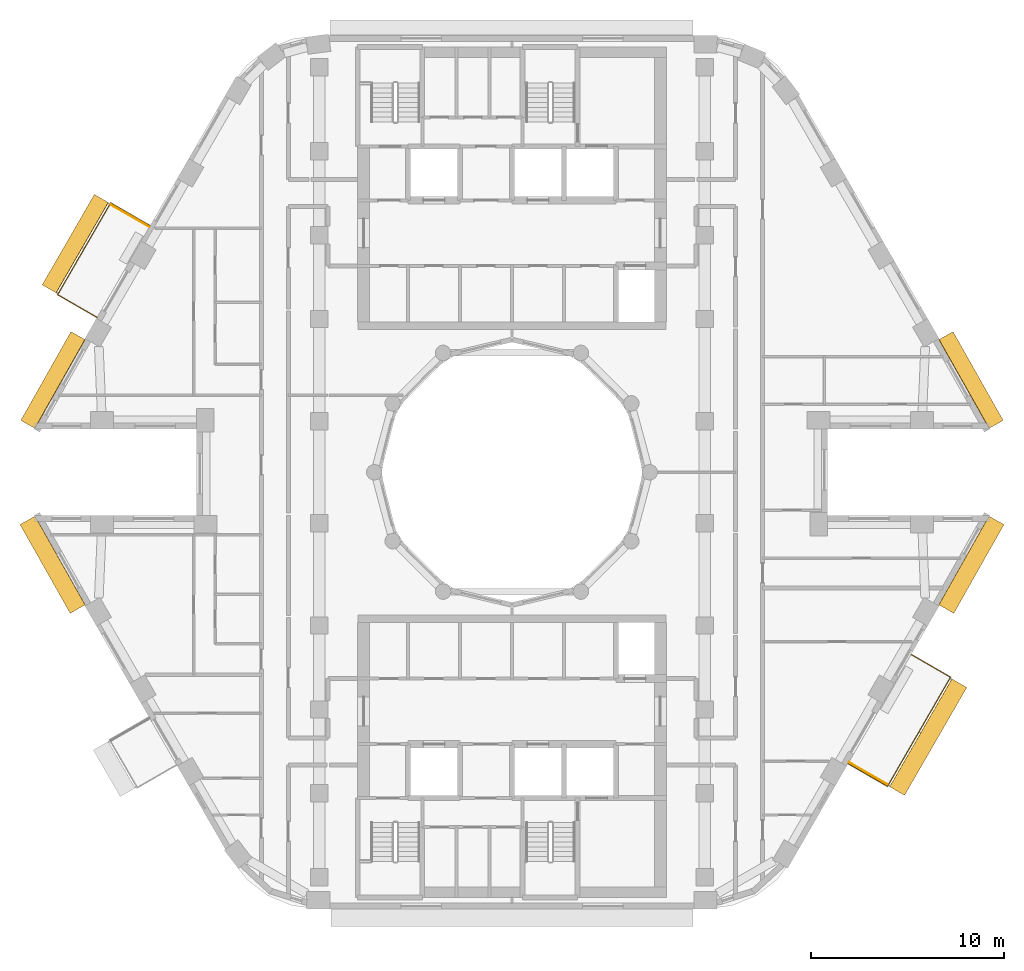
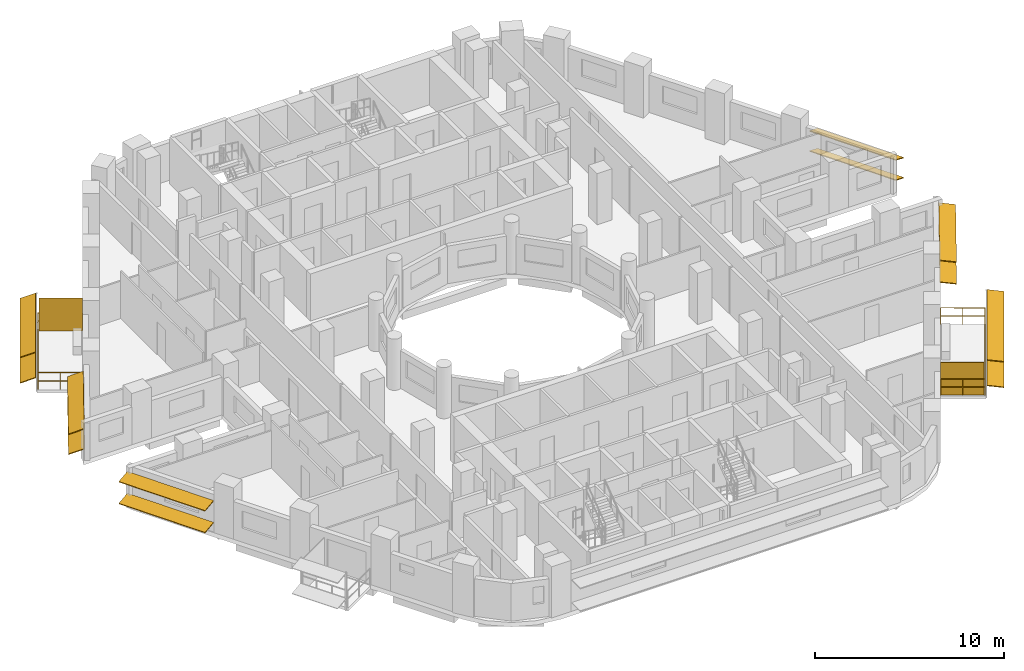
# One storey, part 16 of 17: 14 shading devices, 2 railings.
"""IFC4 building model written with IfcOpenShell, lengths in metres."""

from ifc_helpers import new_model, si_unit, direction, frame, origin, origin_2d, place, context, subcontext, project, spatial, rectangle, circle, extrude, material, layer, layer_set, material_profile, profile_set, type_object, element, save


model = new_model("IFC4")

# Units and contexts
model_context = context("Model", 3, precision=1e-05, world=origin(), true_north=direction((0.0, 1.0)))
body_context = subcontext(model_context, "Body", "Model", "MODEL_VIEW")
ifc_project = project(units=[si_unit("LENGTHUNIT", "METRE"), si_unit("AREAUNIT", "SQUARE_METRE"), si_unit("VOLUMEUNIT", "CUBIC_METRE"), si_unit("PLANEANGLEUNIT", "RADIAN"), si_unit("MASSUNIT", "GRAM", prefix="KILO")], contexts=[model_context])

# Site, building, storey
site_placement = place(None, origin())
site = spatial("IfcSite", under=ifc_project, at=site_placement, CompositionType="ELEMENT")
building_placement = place(site_placement, origin())
building = spatial("IfcBuilding", under=site, at=building_placement, Name="Nakaniwa Court", CompositionType="ELEMENT")
storey_placement = place(building_placement, frame((0.0, 0.0, 203.10009765625)))
storey = spatial("IfcBuildingStorey", under=building, at=storey_placement, Name="L53", CompositionType="ELEMENT", Elevation=203.10009765625)

# Railings
ifc_material_1 = material(Name="Black powder-coated steel flat bar balustrade S275", Category="steel")
railing_type = type_object("IfcRailingType", Name="Black metal balcony guard 1100", PredefinedType="GUARDRAIL", material=ifc_material_1)
railing_1_placement = place(storey_placement, frame((61.22900390625, 92.787841796875, -0.050048828125)))
element("IfcRailing", 1, at=railing_1_placement, inside=storey, type_object=railing_type, Name="L53 balcony guard 01", PredefinedType="GUARDRAIL", context=body_context, shape_type="SweptSolid", body=[
    extrude(circle(Radius=0.02392578125, at=origin_2d()), frame((0.0, 0.0, 1.076171875), z_axis=(-0.865980564943, 0.500077655111, 0.0), x_axis=(-0.500077655111, -0.865980564943, 0.0)), (0.0, 0.0, 1.0), 2.35986328125),
    extrude(circle(Radius=0.02392578125, at=origin_2d()), frame((0.0, 0.0, 0.550048828125), z_axis=(-0.865980564943, 0.500077655111, 0.0), x_axis=(-0.500077655111, -0.865980564943, 0.0)), (0.0, 0.0, 1.0), 2.35986328125),
    extrude(circle(Radius=0.02392578125, at=origin_2d()), frame((-2.043701171875, 1.18017578125, 1.076171875), z_axis=(-0.500004459798, -0.866022828903, 0.0), x_axis=(0.866022828903, -0.500004459798, 0.0)), (0.0, 0.0, 1.0), 5.49560546875),
    extrude(circle(Radius=0.02392578125, at=origin_2d()), frame((-2.043701171875, 1.18017578125, 0.550048828125), z_axis=(-0.500004459798, -0.866022828903, 0.0), x_axis=(0.866022828903, -0.500004459798, 0.0)), (0.0, 0.0, 1.0), 5.49560546875),
    extrude(circle(Radius=0.02392578125, at=origin_2d()), frame((-4.79150390625, -3.5791015625, 1.076171875), z_axis=(0.866051224006, -0.499955275397, 0.0), x_axis=(0.499955275397, 0.866051224006, 0.0)), (0.0, 0.0, 1.0), 2.360107421875),
    extrude(circle(Radius=0.02392578125, at=origin_2d()), frame((-4.79150390625, -3.5791015625, 0.550048828125), z_axis=(0.866051224006, -0.499955275397, 0.0), x_axis=(0.499955275397, 0.866051224006, 0.0)), (0.0, 0.0, 1.0), 2.360107421875),
    extrude(circle(Radius=0.02099609375, at=origin_2d()), origin(), (0.0, 0.0, 1.0), 1.052001953125),
    extrude(circle(Radius=0.02099609375, at=origin_2d()), frame((-1.02197265625, 0.590087890625, 0.0)), (0.0, 0.0, 1.0), 1.052001953125),
    extrude(circle(Radius=0.02099609375, at=origin_2d()), frame((-2.043701171875, 1.18017578125, 0.0)), (0.0, 0.0, 1.0), 1.052001953125),
    extrude(circle(Radius=0.02099609375, at=origin_2d()), frame((-2.59326171875, 0.228271484375, 0.0)), (0.0, 0.0, 1.0), 1.052001953125),
    extrude(circle(Radius=0.02099609375, at=origin_2d()), frame((-3.142822265625, -0.7236328125, 0.0)), (0.0, 0.0, 1.0), 1.052001953125),
    extrude(circle(Radius=0.02099609375, at=origin_2d()), frame((-3.6923828125, -1.67529296875, 0.0)), (0.0, 0.0, 1.0), 1.052001953125),
    extrude(circle(Radius=0.02099609375, at=origin_2d()), frame((-4.241943359375, -2.627197265625, 0.0)), (0.0, 0.0, 1.0), 1.052001953125),
    extrude(circle(Radius=0.02099609375, at=origin_2d()), frame((-4.79150390625, -3.5791015625, 0.0)), (0.0, 0.0, 1.0), 1.052001953125),
    extrude(circle(Radius=0.02099609375, at=origin_2d()), frame((-3.76953125, -4.1689453125, 0.0)), (0.0, 0.0, 1.0), 1.052001953125),
    extrude(circle(Radius=0.02099609375, at=origin_2d()), frame((-2.74755859375, -4.759033203125, 0.0)), (0.0, 0.0, 1.0), 1.052001953125),
])
railing_2_placement = place(storey_placement, frame((97.429443359375, 64.888427734375, -0.050048828125)))
element("IfcRailing", 2, at=railing_2_placement, inside=storey, type_object=railing_type, Name="L53 balcony guard 03", PredefinedType="GUARDRAIL", context=body_context, shape_type="SweptSolid", body=[
    extrude(circle(Radius=0.02392578125, at=origin_2d()), frame((0.0, 0.0, 1.076171875), z_axis=(0.866025363618, -0.50000006957, 0.0), x_axis=(0.50000006957, 0.866025363618, 0.0)), (0.0, 0.0, 1.0), 2.35986328125),
    extrude(circle(Radius=0.02392578125, at=origin_2d()), frame((0.0, 0.0, 0.550048828125), z_axis=(0.866025363618, -0.50000006957, 0.0), x_axis=(0.50000006957, 0.866025363618, 0.0)), (0.0, 0.0, 1.0), 2.35986328125),
    extrude(circle(Radius=0.02392578125, at=origin_2d()), frame((2.043701171875, -1.179931640625, 1.076171875), z_axis=(0.500021928932, 0.866012742739, 0.0), x_axis=(-0.866012742739, 0.500021928932, 0.0)), (0.0, 0.0, 1.0), 6.539306640625),
    extrude(circle(Radius=0.02392578125, at=origin_2d()), frame((2.043701171875, -1.179931640625, 0.550048828125), z_axis=(0.500021928932, 0.866012742739, 0.0), x_axis=(-0.866012742739, 0.500021928932, 0.0)), (0.0, 0.0, 1.0), 6.539306640625),
    extrude(circle(Radius=0.02392578125, at=origin_2d()), frame((5.3134765625, 4.483154296875, 1.076171875), z_axis=(-0.865980564943, 0.500077655111, 0.0), x_axis=(-0.500077655111, -0.865980564943, 0.0)), (0.0, 0.0, 1.0), 2.35986328125),
    extrude(circle(Radius=0.02392578125, at=origin_2d()), frame((5.3134765625, 4.483154296875, 0.550048828125), z_axis=(-0.865980564943, 0.500077655111, 0.0), x_axis=(-0.500077655111, -0.865980564943, 0.0)), (0.0, 0.0, 1.0), 2.35986328125),
    extrude(circle(Radius=0.02099609375, at=origin_2d()), origin(), (0.0, 0.0, 1.0), 1.052001953125),
    extrude(circle(Radius=0.02099609375, at=origin_2d()), frame((1.02197265625, -0.58984375, 0.0)), (0.0, 0.0, 1.0), 1.052001953125),
    extrude(circle(Radius=0.02099609375, at=origin_2d()), frame((2.043701171875, -1.179931640625, 0.0)), (0.0, 0.0, 1.0), 1.052001953125),
    extrude(circle(Radius=0.02099609375, at=origin_2d()), frame((2.588623046875, -0.236083984375, 0.0)), (0.0, 0.0, 1.0), 1.052001953125),
    extrude(circle(Radius=0.02099609375, at=origin_2d()), frame((3.133544921875, 0.707763671875, 0.0)), (0.0, 0.0, 1.0), 1.052001953125),
    extrude(circle(Radius=0.02099609375, at=origin_2d()), frame((3.6787109375, 1.651611328125, 0.0)), (0.0, 0.0, 1.0), 1.052001953125),
    extrude(circle(Radius=0.02099609375, at=origin_2d()), frame((4.2236328125, 2.595458984375, 0.0)), (0.0, 0.0, 1.0), 1.052001953125),
    extrude(circle(Radius=0.02099609375, at=origin_2d()), frame((4.7685546875, 3.539306640625, 0.0)), (0.0, 0.0, 1.0), 1.052001953125),
    extrude(circle(Radius=0.02099609375, at=origin_2d()), frame((5.3134765625, 4.483154296875, 0.0)), (0.0, 0.0, 1.0), 1.052001953125),
    extrude(circle(Radius=0.02099609375, at=origin_2d()), frame((4.29150390625, 5.0732421875, 0.0)), (0.0, 0.0, 1.0), 1.052001953125),
    extrude(circle(Radius=0.02099609375, at=origin_2d()), frame((3.269775390625, 5.663330078125, 0.0)), (0.0, 0.0, 1.0), 1.052001953125),
])

# Shading devices
ifc_material_2 = material(Name="Black powder-coated aluminium slat screen", Category="aluminium")
ifc_layer = layer(ifc_material_2, 0.0400390625)
ifc_layer_set = layer_set([ifc_layer], Name="Black powder-coated aluminium slat screen")
shading_device_type_1 = type_object("IfcShadingDeviceType", Name="Koshi screen black metal", PredefinedType="USERDEFINED", material=ifc_layer_set)
for number, where, z_axis, x_axis, name in (
    (3, (60.188720703125, 93.296142578125, -0.050048828125), (0.0, 0.0, 1.0), (-0.499986396443, -0.866033257659, 0.0), "L53 balcony SCREEN 01 W"),
    (4, (98.469482421875, 64.38037109375, -0.050048828125), (0.0, 0.0, 1.0), (0.500016626402, 0.866015804314, 0.0), "L53 balcony SCREEN 03 W"),
):
    element("IfcShadingDevice", number, at=place(storey_placement, frame(where, z_axis=z_axis, x_axis=x_axis)), inside=storey, type_object=shading_device_type_1, Name=name, ObjectType="KOSHI SCREEN", PredefinedType="USERDEFINED", context=body_context, shape_type="SweptSolid", body=[
        extrude(rectangle(XDim=0.0400390625, YDim=2.31005859375, at=origin_2d()), origin(), (0.0, 0.0, 1.0), 2.10009765625),
    ])
ifc_material_3 = material(Name="Perforated charcoal ceramic louvre blade")
ifc_material_profile = material_profile(ifc_material_3, rectangle(XDim=0.89990234375, YDim=0.050048828125, at=origin_2d()), Name="Perforated ceramic louvre blade")
ifc_profile_set = profile_set([ifc_material_profile], Name="Perforated charcoal ceramic louvre blade")
shading_device_type_2 = type_object("IfcShadingDeviceType", Name="Perforated ceramic louvre blade", PredefinedType="JALOUSIE", material=ifc_profile_set)
for number, where, z_axis, x_axis, name in (
    (5, (58.710205078125, 94.19580078125, 0.5), (-0.499989134974, -0.866031676619, 0.0), (0.800108940535, -0.46192972828, 0.382683432365), "L53 perforated ceramic louvre blade 01 1"),
    (6, (58.710205078125, 94.19580078125, 2.14990234375), (-0.499989134974, -0.866031676619, 0.0), (0.800108940535, -0.46192972828, 0.382683432365), "L53 perforated ceramic louvre blade 01 2"),
):
    element("IfcShadingDevice", number, at=place(storey_placement, frame(where, z_axis=z_axis, x_axis=x_axis)), inside=storey, type_object=shading_device_type_2, Name=name, PredefinedType="JALOUSIE", context=body_context, shape_type="SweptSolid", body=[
        extrude(rectangle(XDim=0.89990234375, YDim=0.050048828125, at=origin_2d()), origin(), (0.0, 0.0, 1.0), 5.4150390625),
    ])
for number, where, z_axis, x_axis, name in (
    (7, (99.968994140625, 63.468505859375, 0.5), (0.500021278789, 0.866013118121, 0.0), (-0.858604255843, 0.495743527433, 0.13052619222), "L53 perforated ceramic louvre blade 03 1"),
    (8, (99.968994140625, 63.468505859375, 2.14990234375), (0.500021278789, 0.866013118121, 0.0), (-0.858604255843, 0.495743527433, 0.13052619222), "L53 perforated ceramic louvre blade 03 2"),
):
    element("IfcShadingDevice", number, at=place(storey_placement, frame(where, z_axis=z_axis, x_axis=x_axis)), inside=storey, type_object=shading_device_type_2, Name=name, PredefinedType="JALOUSIE", context=body_context, shape_type="SweptSolid", body=[
        extrude(rectangle(XDim=0.89990234375, YDim=0.050048828125, at=origin_2d()), origin(), (0.0, 0.0, 1.0), 6.459228515625),
    ])
for number, where, z_axis, x_axis, name in (
    (9, (105.103759765625, 82.480224609375, 0.5498046875), (-0.492005517921, 0.870592080331, 0.0), (-0.804902454764, -0.454881750109, 0.38107037635), "L53 perforated ceramic louvre blade w02 1"),
    (10, (105.103759765625, 82.480224609375, 1.84521484375), (-0.492005517921, 0.870592080331, 0.0), (-0.804902454764, -0.454881750109, 0.38107037635), "L53 perforated ceramic louvre blade w02 2"),
    (11, (57.497314453125, 87.082763671875, 0.5498046875), (-0.492005517921, -0.870592080331, 0.0), (0.804902454764, -0.454881750109, 0.38107037635), "L53 perforated ceramic louvre blade w14 1"),
    (12, (57.497314453125, 87.082763671875, 1.84521484375), (-0.492005517921, -0.870592080331, 0.0), (0.804902454764, -0.454881750109, 0.38107037635), "L53 perforated ceramic louvre blade w14 2"),
):
    element("IfcShadingDevice", number, at=place(storey_placement, frame(where, z_axis=z_axis, x_axis=x_axis)), inside=storey, type_object=shading_device_type_2, Name=name, PredefinedType="JALOUSIE", context=body_context, shape_type="SweptSolid", body=[
        extrude(rectangle(XDim=0.89990234375, YDim=0.050048828125, at=origin_2d()), origin(), (0.0, 0.0, 1.0), 5.28662109375),
    ])
for number, where, z_axis, x_axis, name in (
    (13, (54.87548828125, 77.508056640625, 0.5498046875), (0.492040518232, -0.870572299363, 0.0), (0.862924792041, 0.487718208105, 0.132256390257), "L53 perforated ceramic louvre blade w20 1"),
    (14, (54.87548828125, 77.508056640625, 1.95556640625), (0.492040518232, -0.870572299363, 0.0), (0.862924792041, 0.487718208105, 0.132256390257), "L53 perforated ceramic louvre blade w20 2"),
    (15, (102.523193359375, 72.905517578125, 0.5498046875), (0.492040518232, 0.870572299363, 0.0), (-0.862924792041, 0.487718208105, 0.132256390257), "L53 perforated ceramic louvre blade w32 1"),
    (16, (102.523193359375, 72.905517578125, 1.95556640625), (0.492040518232, 0.870572299363, 0.0), (-0.862924792041, 0.487718208105, 0.132256390257), "L53 perforated ceramic louvre blade w32 2"),
):
    element("IfcShadingDevice", number, at=place(storey_placement, frame(where, z_axis=z_axis, x_axis=x_axis)), inside=storey, type_object=shading_device_type_2, Name=name, PredefinedType="JALOUSIE", context=body_context, shape_type="SweptSolid", body=[
        extrude(rectangle(XDim=0.89990234375, YDim=0.050048828125, at=origin_2d()), origin(), (0.0, 0.0, 1.0), 5.286865234375),
    ])

save(model, "model.ifc")
